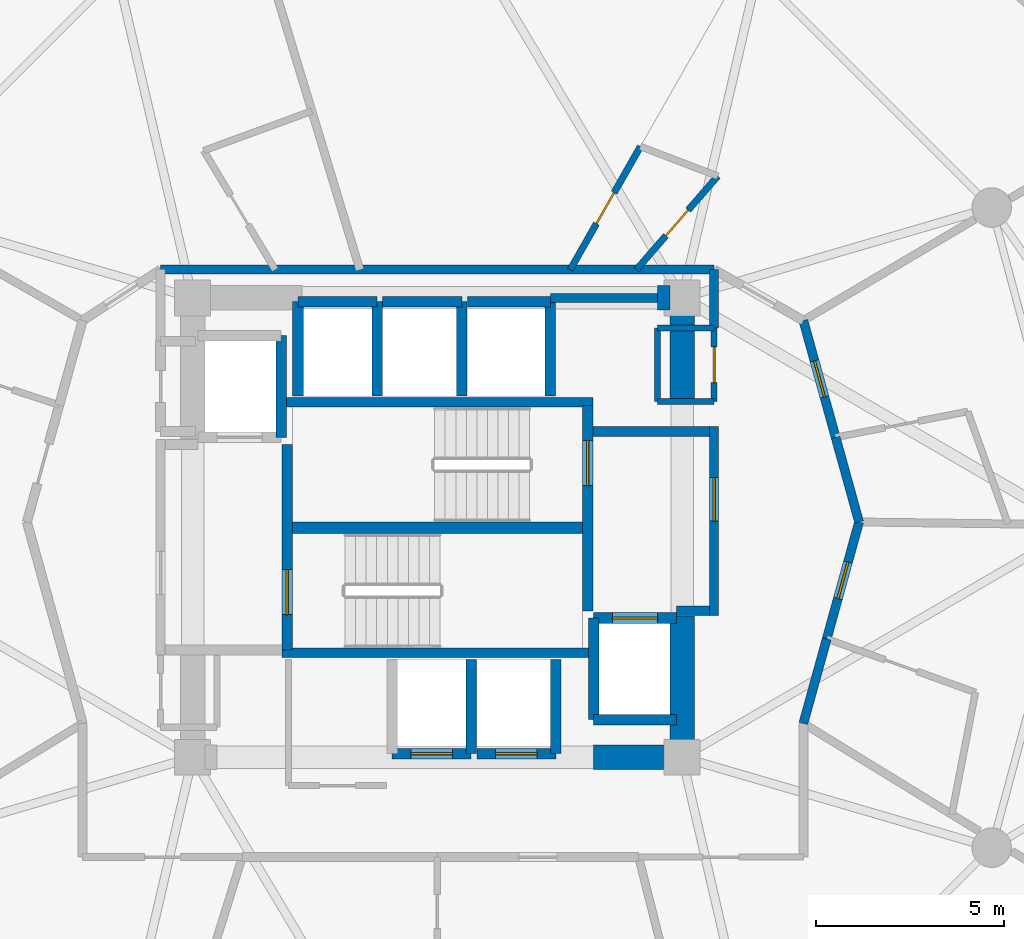
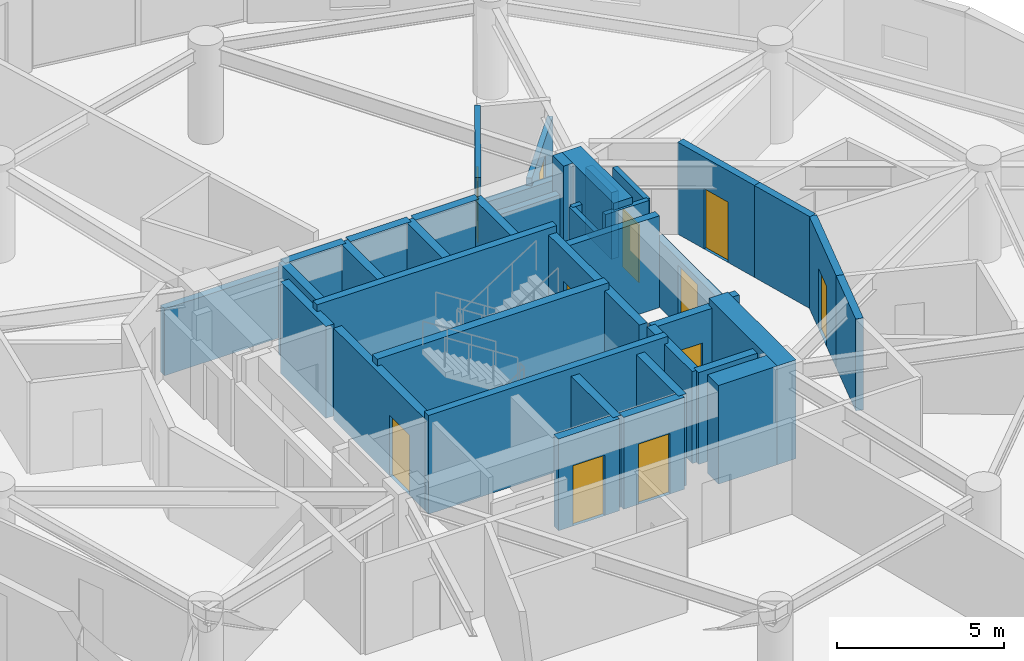
# One storey, part 16 of 20: 40 walls, 11 doors, 11 openings.
"""IFC4 building model written with IfcOpenShell, lengths in metres."""

import ifcopenshell
import ifcopenshell.guid

model = None  # the IFC model being written
_history = None  # IfcOwnerHistory: only IFC2X3 demands one
_inside = {}  # id of a spatial element -> (the spatial element, [elements in it])
_under = {}  # id of a project, library or spatial element -> (it, [spatial elements below it])
_declared = {}  # id of a project -> (the project, [libraries it declares])
_typed = {}  # id of a type object -> (the type object, [elements of that type])
_made_of = {}  # id of a material, layer set ... -> (it, [elements and type objects made of it])


def new_model(schema):
    """Start an empty IFC model of exactly this schema.

    Asked for "IFC4X3", IfcOpenShell would pick the latest addendum, in which some entities
    have other attributes; the version numbers below select the first issue.
    IFC2X3 requires an IfcOwnerHistory on every rooted entity: one is made here for all.
    """
    global model, _history
    if schema == "IFC4X3":
        model = ifcopenshell.file(schema_version=(4, 3, 0, 0))
    else:
        model = ifcopenshell.file(schema=schema)
    _inside.clear()
    _under.clear()
    _declared.clear()
    _typed.clear()
    _made_of.clear()
    _history = None
    if model.schema == "IFC2X3":
        org = make("IfcOrganization", Name="unknown")
        user = make(
            "IfcPersonAndOrganization",
            ThePerson=make("IfcPerson", FamilyName="unknown"),
            TheOrganization=org,
        )
        app = make(
            "IfcApplication",
            ApplicationDeveloper=org,
            Version="unknown",
            ApplicationFullName="unknown",
            ApplicationIdentifier="unknown",
        )
        _history = make(
            "IfcOwnerHistory",
            OwningUser=user,
            OwningApplication=app,
            ChangeAction="ADDED",
            CreationDate=0,
        )
    return model


def make(cls, **values):
    """One entity of the class cls with the attributes given. An attribute that is None is left unset."""
    return model.create_entity(
        cls, **{name: value for name, value in values.items() if value is not None}
    )


def rooted(cls, **values):
    """An entity with a GlobalId (a new one), such as an element, a storey or a relation."""
    return make(cls, GlobalId=ifcopenshell.guid.new(), OwnerHistory=_history, **values)


def si_unit(unit_type, name, prefix=None):
    """IfcSIUnit, for example si_unit("LENGTHUNIT", "METRE", prefix="MILLI")."""
    return make("IfcSIUnit", UnitType=unit_type, Prefix=prefix, Name=name)


def assignment(units):
    """IfcUnitAssignment: the units of a project."""
    return None if units is None else make("IfcUnitAssignment", Units=units)


def point(xyz):
    """IfcCartesianPoint."""
    return None if xyz is None else make("IfcCartesianPoint", Coordinates=xyz)


def direction(xyz):
    """IfcDirection."""
    return None if xyz is None else make("IfcDirection", DirectionRatios=xyz)


def frame(location, z_axis=None, x_axis=None):
    """IfcAxis2Placement3D, a coordinate frame: its origin and axes. An axis left out is left unset."""
    return make(
        "IfcAxis2Placement3D",
        Location=point(location),
        Axis=direction(z_axis),
        RefDirection=direction(x_axis),
    )


def frame_2d(location, x_axis=None):
    """IfcAxis2Placement2D, a coordinate frame in the plane: its origin and x axis."""
    return make(
        "IfcAxis2Placement2D", Location=point(location), RefDirection=direction(x_axis)
    )


def origin():
    """The frame at (0, 0, 0) with its axes left unset."""
    return frame((0.0, 0.0, 0.0))


def place(relative_to, where):
    """IfcLocalPlacement: puts the frame where relative to a parent placement (None: the world)."""
    return make(
        "IfcLocalPlacement", PlacementRelTo=relative_to, RelativePlacement=where
    )


def context(
    kind, dimensions, precision=None, world=None, true_north=None, identifier=None
):
    """IfcGeometricRepresentationContext, for example the 3D "Model" context."""
    return make(
        "IfcGeometricRepresentationContext",
        ContextIdentifier=identifier,
        ContextType=kind,
        CoordinateSpaceDimension=dimensions,
        Precision=precision,
        WorldCoordinateSystem=world,
        TrueNorth=true_north,
    )


def subcontext(parent, identifier, kind, view, scale=None):
    """IfcGeometricRepresentationSubContext, for example "Body" below "Model"."""
    return make(
        "IfcGeometricRepresentationSubContext",
        ContextIdentifier=identifier,
        ContextType=kind,
        ParentContext=parent,
        TargetScale=scale,
        TargetView=view,
    )


def project(units=None, contexts=None):
    """IfcProject with its units and contexts."""
    return rooted(
        "IfcProject",
        Name="project",
        RepresentationContexts=contexts,
        UnitsInContext=assignment(units),
    )


def spatial(cls, under=None, at=None, **own):
    """A site, building, storey or space (cls), placed at a placement, below another one or the project."""
    s = rooted(cls, ObjectPlacement=at, **own)
    if under is not None:
        _under.setdefault(under.id(), (under, []))[1].append(s)
    return s


def profile(cls, at=None, kind="AREA", **sizes):
    """A parametric profile (cls). Its sizes go by their IFC names, for example OverallWidth=200.0."""
    return make(cls, ProfileType=kind, Position=at, **sizes)


def rectangle(**sizes):
    """IfcRectangleProfileDef."""
    return profile("IfcRectangleProfileDef", **sizes)


def extrude(swept, where, along, depth):
    """IfcExtrudedAreaSolid: the profile swept, set in the frame where, extruded along a direction by depth."""
    return make(
        "IfcExtrudedAreaSolid",
        SweptArea=swept,
        Position=where,
        ExtrudedDirection=direction(along),
        Depth=depth,
    )


def shape(context_of_items, identifier, shape_type, items):
    """IfcShapeRepresentation: the items that make up one representation, for example the "Body"."""
    return make(
        "IfcShapeRepresentation",
        ContextOfItems=context_of_items,
        RepresentationIdentifier=identifier,
        RepresentationType=shape_type,
        Items=items,
    )


def material(Name=None, Category=None):
    """IfcMaterial."""
    return make("IfcMaterial", Name=Name, Category=Category)


def layer(
    of_material, thickness, ventilated=None, Name=None, Category=None, Priority=None
):
    """IfcMaterialLayer: one layer of a wall or slab, of a material (None: an air gap)."""
    return make(
        "IfcMaterialLayer",
        Material=of_material,
        LayerThickness=thickness,
        IsVentilated=ventilated,
        Name=Name,
        Category=Category,
        Priority=Priority,
    )


def layer_set(layers, Name=None):
    """IfcMaterialLayerSet."""
    return make("IfcMaterialLayerSet", MaterialLayers=layers, LayerSetName=Name)


def made_of(thing, what):
    """Note that an element or type object is made of a material, layer set ...; save() writes the relation."""
    if what is not None:
        _made_of.setdefault(what.id(), (what, []))[1].append(thing)
    return thing


def type_object(cls, material=None, **own):
    """A type object (cls), such as IfcWallType, which elements share."""
    return made_of(rooted(cls, **own), material)


def element(
    cls,
    number,
    at=None,
    inside=None,
    cuts=None,
    type_object=None,
    material=None,
    context=None,
    identifier="Body",
    shape_type=None,
    held_by="IfcProductDefinitionShape",
    body=None,
    shapes=None,
    **own,
):
    """One element of the class cls, such as IfcWall. Its Tag is "e" and its number.

    at: its placement. inside: the storey or other place that contains it. cuts: it is an
    opening in that element (IfcRelVoidsElement). A single representation is given by context,
    identifier, shape_type and body (its items); several are given by shapes. held_by: the class
    of the entity that holds the representations. save() writes the other relations.
    """
    e = rooted(cls, Tag="e%d" % number, ObjectPlacement=at, **own)
    if body is not None:
        shapes = [shape(context, identifier, shape_type, body)]
    if shapes is not None:
        e.Representation = make(held_by, Representations=shapes)
    if inside is not None:
        _inside.setdefault(inside.id(), (inside, []))[1].append(e)
    if cuts is not None:
        rooted(
            "IfcRelVoidsElement", RelatingBuildingElement=cuts, RelatedOpeningElement=e
        )
    if type_object is not None:
        _typed.setdefault(type_object.id(), (type_object, []))[1].append(e)
    return made_of(e, material)


def fill(opening, filler):
    """IfcRelFillsElement: the door or window that sits in an opening."""
    return rooted(
        "IfcRelFillsElement",
        RelatingOpeningElement=opening,
        RelatedBuildingElement=filler,
    )


def aggregate(whole, parts):
    """IfcRelAggregates: a whole, such as a stair, and the parts it consists of."""
    return rooted("IfcRelAggregates", RelatingObject=whole, RelatedObjects=parts)


def save(model, path):
    """Write the relations noted so far, then the file.

    IfcRelAggregates (storeys below a building ...), IfcRelContainedInSpatialStructure (elements
    in a storey), IfcRelDefinesByType, IfcRelAssociatesMaterial and IfcRelDeclares: one each for
    every whole, place, type object, material and project.
    """
    for whole, parts in _under.values():
        aggregate(whole, parts)
    for where, things in _inside.values():
        rooted(
            "IfcRelContainedInSpatialStructure",
            RelatedElements=things,
            RelatingStructure=where,
        )
    for kind, things in _typed.values():
        rooted("IfcRelDefinesByType", RelatedObjects=things, RelatingType=kind)
    for what, things in _made_of.values():
        rooted("IfcRelAssociatesMaterial", RelatedObjects=things, RelatingMaterial=what)
    for by, libraries in _declared.values():
        rooted("IfcRelDeclares", RelatingContext=by, RelatedDefinitions=libraries)
    model.write(path)


model = new_model("IFC4")

# Units and contexts
model_context = context("Model", 3, precision=1e-05, world=origin(), true_north=direction((0.0, 1.0)))
body_context = subcontext(model_context, "Body", "Model", "MODEL_VIEW")
ifc_project = project(units=[si_unit("LENGTHUNIT", "METRE"), si_unit("AREAUNIT", "SQUARE_METRE"), si_unit("VOLUMEUNIT", "CUBIC_METRE"), si_unit("PLANEANGLEUNIT", "RADIAN"), si_unit("MASSUNIT", "GRAM", prefix="KILO")], contexts=[model_context])

# Site, building, storey
site_placement = place(None, origin())
site = spatial("IfcSite", under=ifc_project, at=site_placement, CompositionType="ELEMENT")
building_placement = place(site_placement, origin())
building = spatial("IfcBuilding", under=site, at=building_placement, Name="Solvirekh Grand Hotel", CompositionType="ELEMENT")
storey_placement = place(building_placement, frame((0.0, 0.0, 156.60009765625)))
storey = spatial("IfcBuildingStorey", under=building, at=storey_placement, Name="L40", CompositionType="ELEMENT", Elevation=156.60009765625)

# Walls
ifc_material_1 = material(Name="Concrete C50/60", Category="concrete")
ifc_layer_1 = layer(ifc_material_1, 0.35009765625)
ifc_layer_set_1 = layer_set([ifc_layer_1], Name="Concrete C50/60")
wall_type_1 = type_object("IfcWallType", Name="CoreDivWall_RC350", PredefinedType="SOLIDWALL", material=ifc_layer_set_1)
for number, where, z_axis, x_axis, name in (
    (1, (-4.1298828125, -3.324951171875, 0.0), (0.0, 0.0, 1.0), (1.0, 0.0, 0.0), "L40 core stair box wall ST-S"),
    (2, (-4.1298828125, 3.324951171875, 0.0), (0.0, 0.0, 1.0), (1.0, 0.0, 0.0), "L40 core stair box wall ST-N"),
):
    element("IfcWall", number, at=place(storey_placement, frame(where, z_axis=z_axis, x_axis=x_axis)), inside=storey, type_object=wall_type_1, Name=name, PredefinedType="SOLIDWALL", context=body_context, shape_type="SweptSolid", body=[
        extrude(rectangle(XDim=8.259765625, YDim=0.25, at=frame_2d((4.1298828125, 0.0))), origin(), (0.0, 0.0, 1.0), 3.599853515625),
    ])

# Wall, opening, door
ifc_material_2 = material(Name="Concrete C40/50", Category="concrete")
ifc_layer_2 = layer(ifc_material_2, 0.280029296875)
ifc_layer_set_2 = layer_set([ifc_layer_2], Name="Concrete C40/50")
wall_type_2 = type_object("IfcWallType", Name="CoreShaftWall_RC280", PredefinedType="SOLIDWALL", material=ifc_layer_set_2)
wall_1_placement = place(storey_placement, frame((-1.199951171875, -6.0, 0.0), z_axis=(0.0, 0.0, 1.0), x_axis=(1.0, 0.0, 0.0)))
wall_1 = element("IfcWall", 3, at=wall_1_placement, inside=storey, type_object=wall_type_2, Name="L40 MP-1 hoistway S wall", PredefinedType="SOLIDWALL", context=body_context, shape_type="SweptSolid", body=[
    extrude(rectangle(XDim=2.099853515625, YDim=0.280029296875, at=frame_2d((1.0498046875, 0.0))), origin(), (0.0, 0.0, 1.0), 3.349853515625),
])
opening_1_placement = place(wall_1_placement, frame((0.5, 0.0, 0.0)))
opening_1 = element("IfcOpeningElement", 4, at=opening_1_placement, cuts=wall_1, Name="Opening LD01", PredefinedType="OPENING", context=body_context, shape_type="SweptSolid", body=[
    extrude(rectangle(XDim=1.10009765625, YDim=2.199951171875, at=frame_2d((0.550048828125, 1.10009765625))), frame((0.0, 0.14990234375, 0.0), z_axis=(0.0, -1.0, 0.0), x_axis=(1.0, 0.0, 0.0)), (0.0, 0.0, 1.0), 0.300048828125),
])
ifc_material_3 = material(Name="Fire-Rated Steel Door Assembly", Category="steel")
door_type_1 = type_object("IfcDoorType", Name="Door_LiftLanding_1100X2200", OperationType="SLIDING_TO_LEFT", PredefinedType="DOOR", material=ifc_material_3)
door_1_placement = place(opening_1_placement, origin())
door_1 = element("IfcDoor", 5, at=door_1_placement, inside=storey, type_object=door_type_1, Name="L40 MP-1 sliding lift landing door", OperationType="SLIDING_TO_LEFT", OverallHeight=2.199951171875, OverallWidth=1.10009765625, PredefinedType="DOOR", context=body_context, shape_type="SweptSolid", body=[
    extrude(rectangle(XDim=1.10009765625, YDim=2.199951171875, at=frame_2d((0.550048828125, 1.10009765625))), frame((0.0, 0.02490234375, 0.0), z_axis=(0.0, -1.0, 0.0), x_axis=(1.0, 0.0, 0.0)), (0.0, 0.0, 1.0), 0.050048828125),
])
fill(opening_1, door_1)

# Wall
wall_2_placement = place(storey_placement, frame((0.89990234375, -6.0, 0.0), z_axis=(0.0, 0.0, 1.0), x_axis=(0.0, 1.0, 0.0)))
element("IfcWall", 6, at=wall_2_placement, inside=storey, type_object=wall_type_2, Name="L40 MP-1 hoistway E wall", PredefinedType="SOLIDWALL", context=body_context, shape_type="SweptSolid", body=[
    extrude(rectangle(XDim=2.5, YDim=0.280029296875, at=frame_2d((1.25, 0.0))), origin(), (0.0, 0.0, 1.0), 3.349853515625),
])

# Wall, opening, door
wall_3_placement = place(storey_placement, frame((1.050048828125, -6.0, 0.0), z_axis=(0.0, 0.0, 1.0), x_axis=(1.0, 0.0, 0.0)))
wall_3 = element("IfcWall", 7, at=wall_3_placement, inside=storey, type_object=wall_type_2, Name="L40 MP-2 hoistway S wall", PredefinedType="SOLIDWALL", context=body_context, shape_type="SweptSolid", body=[
    extrude(rectangle(XDim=2.099853515625, YDim=0.280029296875, at=frame_2d((1.0498046875, 0.0))), origin(), (0.0, 0.0, 1.0), 3.349853515625),
])
opening_2_placement = place(wall_3_placement, frame((0.5, 0.0, 0.0)))
opening_2 = element("IfcOpeningElement", 8, at=opening_2_placement, cuts=wall_3, Name="Opening LD01", PredefinedType="OPENING", context=body_context, shape_type="SweptSolid", body=[
    extrude(rectangle(XDim=1.10009765625, YDim=2.199951171875, at=frame_2d((0.550048828125, 1.10009765625))), frame((0.0, 0.14990234375, 0.0), z_axis=(0.0, -1.0, 0.0), x_axis=(1.0, 0.0, 0.0)), (0.0, 0.0, 1.0), 0.300048828125),
])
door_2_placement = place(opening_2_placement, origin())
door_2 = element("IfcDoor", 9, at=door_2_placement, inside=storey, type_object=door_type_1, Name="L40 MP-2 sliding lift landing door", OperationType="SLIDING_TO_LEFT", OverallHeight=2.199951171875, OverallWidth=1.10009765625, PredefinedType="DOOR", context=body_context, shape_type="SweptSolid", body=[
    extrude(rectangle(XDim=1.10009765625, YDim=2.199951171875, at=frame_2d((0.550048828125, 1.10009765625))), frame((0.0, 0.02490234375, 0.0), z_axis=(0.0, -1.0, 0.0), x_axis=(1.0, 0.0, 0.0)), (0.0, 0.0, 1.0), 0.050048828125),
])
fill(opening_2, door_2)

# Walls
wall_4_placement = place(storey_placement, frame((3.14990234375, -6.0, 0.0), z_axis=(0.0, 0.0, 1.0), x_axis=(0.0, 1.0, 0.0)))
element("IfcWall", 10, at=wall_4_placement, inside=storey, type_object=wall_type_2, Name="L40 MP-2 hoistway E wall", PredefinedType="SOLIDWALL", context=body_context, shape_type="SweptSolid", body=[
    extrude(rectangle(XDim=2.5, YDim=0.280029296875, at=frame_2d((1.25, 0.0))), origin(), (0.0, 0.0, 1.0), 3.349853515625),
])
wall_5_placement = place(storey_placement, frame((-1.60009765625, 6.0, 0.0), z_axis=(0.0, 0.0, 1.0), x_axis=(-1.0, 0.0, 0.0)))
element("IfcWall", 11, at=wall_5_placement, inside=storey, type_object=wall_type_2, Name="L40 HP-1 hoistway N wall", PredefinedType="SOLIDWALL", context=body_context, shape_type="SweptSolid", body=[
    extrude(rectangle(XDim=2.099853515625, YDim=0.280029296875, at=frame_2d((1.0498046875, 0.0))), origin(), (0.0, 0.0, 1.0), 3.349853515625),
])
for number, where, z_axis, x_axis, name in (
    (12, (-3.699951171875, 6.0, 0.0), (0.0, 0.0, 1.0), (0.0, -1.0, 0.0), "L40 HP-1 hoistway W wall"),
    (13, (-1.60009765625, 3.5, 0.0), (0.0, 0.0, 1.0), (0.0, 1.0, 0.0), "L40 HP-1 hoistway E wall"),
):
    element("IfcWall", number, at=place(storey_placement, frame(where, z_axis=z_axis, x_axis=x_axis)), inside=storey, type_object=wall_type_2, Name=name, PredefinedType="SOLIDWALL", context=body_context, shape_type="SweptSolid", body=[
        extrude(rectangle(XDim=2.5, YDim=0.280029296875, at=frame_2d((1.25, 0.0))), origin(), (0.0, 0.0, 1.0), 3.349853515625),
    ])
wall_6_placement = place(storey_placement, frame((0.64990234375, 6.0, 0.0), z_axis=(0.0, 0.0, 1.0), x_axis=(-1.0, 0.0, 0.0)))
element("IfcWall", 14, at=wall_6_placement, inside=storey, type_object=wall_type_2, Name="L40 HP-2 hoistway N wall", PredefinedType="SOLIDWALL", context=body_context, shape_type="SweptSolid", body=[
    extrude(rectangle(XDim=2.099853515625, YDim=0.280029296875, at=frame_2d((1.0498046875, 0.0))), origin(), (0.0, 0.0, 1.0), 3.349853515625),
])
wall_7_placement = place(storey_placement, frame((0.64990234375, 3.5, 0.0), z_axis=(0.0, 0.0, 1.0), x_axis=(0.0, 1.0, 0.0)))
element("IfcWall", 15, at=wall_7_placement, inside=storey, type_object=wall_type_2, Name="L40 HP-2 hoistway E wall", PredefinedType="SOLIDWALL", context=body_context, shape_type="SweptSolid", body=[
    extrude(rectangle(XDim=2.5, YDim=0.280029296875, at=frame_2d((1.25, 0.0))), origin(), (0.0, 0.0, 1.0), 3.349853515625),
])
wall_8_placement = place(storey_placement, frame((3.0, 6.0, 0.0), z_axis=(0.0, 0.0, 1.0), x_axis=(-1.0, 0.0, 0.0)))
element("IfcWall", 16, at=wall_8_placement, inside=storey, type_object=wall_type_2, Name="L40 EX-1 hoistway N wall", PredefinedType="SOLIDWALL", context=body_context, shape_type="SweptSolid", body=[
    extrude(rectangle(XDim=2.199951171875, YDim=0.280029296875, at=frame_2d((1.10009765625, 0.0))), origin(), (0.0, 0.0, 1.0), 3.349853515625),
])
wall_9_placement = place(storey_placement, frame((3.0, 3.5, 0.0), z_axis=(0.0, 0.0, 1.0), x_axis=(0.0, 1.0, 0.0)))
element("IfcWall", 17, at=wall_9_placement, inside=storey, type_object=wall_type_2, Name="L40 EX-1 hoistway E wall", PredefinedType="SOLIDWALL", context=body_context, shape_type="SweptSolid", body=[
    extrude(rectangle(XDim=2.5, YDim=0.280029296875, at=frame_2d((1.25, 0.0))), origin(), (0.0, 0.0, 1.0), 3.349853515625),
])
wall_10_placement = place(storey_placement, frame((-4.14990234375, 2.39990234375, 0.0), z_axis=(0.0, 0.0, 1.0), x_axis=(0.0, 1.0, 0.0)))
element("IfcWall", 18, at=wall_10_placement, inside=storey, type_object=wall_type_2, Name="L40 FL-1 hoistway E wall", PredefinedType="SOLIDWALL", context=body_context, shape_type="SweptSolid", body=[
    extrude(rectangle(XDim=2.7001953125, YDim=0.280029296875, at=frame_2d((1.35009765625, 0.0))), origin(), (0.0, 0.0, 1.0), 3.349853515625),
])
wall_11_placement = place(storey_placement, frame((4.14990234375, -5.10009765625, 0.0), z_axis=(0.0, 0.0, 1.0), x_axis=(1.0, 0.0, 0.0)))
element("IfcWall", 19, at=wall_11_placement, inside=storey, type_object=wall_type_2, Name="L40 FL-2 hoistway S wall", PredefinedType="SOLIDWALL", context=body_context, shape_type="SweptSolid", body=[
    extrude(rectangle(XDim=2.2001953125, YDim=0.280029296875, at=frame_2d((1.10009765625, 0.0))), origin(), (0.0, 0.0, 1.0), 3.349853515625),
])

# Wall, opening, door
wall_12_placement = place(storey_placement, frame((6.35009765625, -2.39990234375, 0.0), z_axis=(0.0, 0.0, 1.0), x_axis=(-1.0, 0.0, 0.0)))
wall_12 = element("IfcWall", 20, at=wall_12_placement, inside=storey, type_object=wall_type_2, Name="L40 FL-2 hoistway N wall", PredefinedType="SOLIDWALL", context=body_context, shape_type="SweptSolid", body=[
    extrude(rectangle(XDim=2.2001953125, YDim=0.280029296875, at=frame_2d((1.10009765625, 0.0))), origin(), (0.0, 0.0, 1.0), 3.349853515625),
])
opening_3_placement = place(wall_12_placement, frame((0.5, 0.0, 0.0)))
opening_3 = element("IfcOpeningElement", 21, at=opening_3_placement, cuts=wall_12, Name="Opening LD02", PredefinedType="OPENING", context=body_context, shape_type="SweptSolid", body=[
    extrude(rectangle(XDim=1.199951171875, YDim=2.199951171875, at=frame_2d((0.60009765625, 1.10009765625))), frame((0.0, 0.14990234375, 0.0), z_axis=(0.0, -1.0, 0.0), x_axis=(1.0, 0.0, 0.0)), (0.0, 0.0, 1.0), 0.300048828125),
])
door_type_2 = type_object("IfcDoorType", Name="Door_LiftFF_1200X2200", OperationType="SLIDING_TO_LEFT", PredefinedType="DOOR", material=ifc_material_3)
door_3_placement = place(opening_3_placement, origin())
door_3 = element("IfcDoor", 22, at=door_3_placement, inside=storey, type_object=door_type_2, Name="L40 FL-2 sliding lift landing door", OperationType="SLIDING_TO_LEFT", OverallHeight=2.199951171875, OverallWidth=1.199951171875, PredefinedType="DOOR", context=body_context, shape_type="SweptSolid", body=[
    extrude(rectangle(XDim=1.199951171875, YDim=2.199951171875, at=frame_2d((0.60009765625, 1.10009765625))), frame((0.0, 0.02490234375, 0.0), z_axis=(0.0, -1.0, 0.0), x_axis=(1.0, 0.0, 0.0)), (0.0, 0.0, 1.0), 0.050048828125),
])
fill(opening_3, door_3)

# Wall
wall_13_placement = place(storey_placement, frame((4.14990234375, -2.39990234375, 0.0), z_axis=(0.0, 0.0, 1.0), x_axis=(0.0, -1.0, 0.0)))
element("IfcWall", 23, at=wall_13_placement, inside=storey, type_object=wall_type_2, Name="L40 FL-2 hoistway W wall", PredefinedType="SOLIDWALL", context=body_context, shape_type="SweptSolid", body=[
    extrude(rectangle(XDim=2.7001953125, YDim=0.280029296875, at=frame_2d((1.35009765625, 0.0))), origin(), (0.0, 0.0, 1.0), 3.349853515625),
])

# Wall, opening, door
wall_14_placement = place(storey_placement, frame((-3.989990234375, -3.25, 0.0), z_axis=(0.0, 0.0, 1.0), x_axis=(0.0, 1.0, 0.0)))
wall_14 = element("IfcWall", 24, at=wall_14_placement, inside=storey, type_object=wall_type_2, Name="L40 west stair landing enclosure wall", PredefinedType="SOLIDWALL", context=body_context, shape_type="SweptSolid", body=[
    extrude(rectangle(XDim=5.4599609375, YDim=0.280029296875, at=frame_2d((2.72998046875, 0.0))), origin(), (0.0, 0.0, 1.0), 3.349853515625),
])
opening_4_placement = place(wall_14_placement, frame((0.93701171875, 0.0, 0.0)))
opening_4 = element("IfcOpeningElement", 25, at=opening_4_placement, cuts=wall_14, Name="Opening D05", PredefinedType="OPENING", context=body_context, shape_type="SweptSolid", body=[
    extrude(rectangle(XDim=1.199951171875, YDim=2.199951171875, at=frame_2d((0.60009765625, 1.10009765625))), frame((0.0, 0.14990234375, 0.0), z_axis=(0.0, -1.0, 0.0), x_axis=(1.0, 0.0, 0.0)), (0.0, 0.0, 1.0), 0.300048828125),
])
door_type_3 = type_object("IfcDoorType", Name="Door_StairCore_1200X2200", OperationType="NOTDEFINED", PredefinedType="DOOR", material=ifc_material_3)
door_4_placement = place(opening_4_placement, origin())
door_4 = element("IfcDoor", 26, at=door_4_placement, inside=storey, type_object=door_type_3, Name="L40 exit stair ST-1 fire door", OperationType="SINGLE_SWING_RIGHT", OverallHeight=2.199951171875, OverallWidth=1.199951171875, PredefinedType="DOOR", context=body_context, shape_type="SweptSolid", body=[
    extrude(rectangle(XDim=1.199951171875, YDim=2.199951171875, at=frame_2d((0.60009765625, 1.10009765625))), frame((0.0, 0.02490234375, 0.0), z_axis=(0.0, -1.0, 0.0), x_axis=(1.0, 0.0, 0.0)), (0.0, 0.0, 1.0), 0.050048828125),
])
fill(opening_4, door_4)

wall_15_placement = place(storey_placement, frame((3.989990234375, -2.2099609375, 0.0), z_axis=(0.0, 0.0, 1.0), x_axis=(0.0, 1.0, 0.0)))
wall_15 = element("IfcWall", 27, at=wall_15_placement, inside=storey, type_object=wall_type_2, Name="L40 east stair landing enclosure wall", PredefinedType="SOLIDWALL", context=body_context, shape_type="SweptSolid", body=[
    extrude(rectangle(XDim=5.4599609375, YDim=0.280029296875, at=frame_2d((2.72998046875, 0.0))), origin(), (0.0, 0.0, 1.0), 3.349853515625),
])
opening_5_placement = place(wall_15_placement, frame((3.322998046875, 0.0, 0.0)))
opening_5 = element("IfcOpeningElement", 28, at=opening_5_placement, cuts=wall_15, Name="Opening D05", PredefinedType="OPENING", context=body_context, shape_type="SweptSolid", body=[
    extrude(rectangle(XDim=1.199951171875, YDim=2.199951171875, at=frame_2d((0.60009765625, 1.10009765625))), frame((0.0, 0.14990234375, 0.0), z_axis=(0.0, -1.0, 0.0), x_axis=(1.0, 0.0, 0.0)), (0.0, 0.0, 1.0), 0.300048828125),
])
door_5_placement = place(opening_5_placement, origin())
door_5 = element("IfcDoor", 29, at=door_5_placement, inside=storey, type_object=door_type_3, Name="L40 exit stair ST-2 fire door", OperationType="SINGLE_SWING_LEFT", OverallHeight=2.199951171875, OverallWidth=1.199951171875, PredefinedType="DOOR", context=body_context, shape_type="SweptSolid", body=[
    extrude(rectangle(XDim=1.199951171875, YDim=2.199951171875, at=frame_2d((0.60009765625, 1.10009765625))), frame((0.0, 0.02490234375, 0.0), z_axis=(0.0, -1.0, 0.0), x_axis=(1.0, 0.0, 0.0)), (0.0, 0.0, 1.0), 0.050048828125),
])
fill(opening_5, door_5)

# Walls
ifc_layer_3 = layer(ifc_material_1, 0.64990234375)
ifc_layer_set_3 = layer_set([ifc_layer_3], Name="Concrete C50/60")
wall_type_3 = type_object("IfcWallType", Name="CoreWall_RC650", PredefinedType="SHEAR", material=ifc_layer_set_3)
wall_16_placement = place(storey_placement, frame((-3.989990234375, 0.0, 0.0), z_axis=(0.0, 0.0, 1.0), x_axis=(1.0, 0.0, 0.0)))
element("IfcWall", 30, at=wall_16_placement, inside=storey, type_object=wall_type_3, Name="L40 central stair-spine shear wall", PredefinedType="SHEAR", context=body_context, shape_type="SweptSolid", body=[
    extrude(rectangle(XDim=7.97998046875, YDim=0.300048828125, at=frame_2d((3.989990234375, 0.0))), origin(), (0.0, 0.0, 1.0), 3.599853515625),
])
wall_17_placement = place(storey_placement, frame((4.14990234375, -6.10009765625, 0.0), z_axis=(0.0, 0.0, 1.0), x_axis=(1.0, 0.0, 0.0)))
element("IfcWall", 31, at=wall_17_placement, inside=storey, type_object=wall_type_3, Name="L40 core corner shear wall SE-S", PredefinedType="SHEAR", context=body_context, shape_type="SweptSolid", body=[
    extrude(rectangle(XDim=2.025146484375, YDim=0.64990234375, at=frame_2d((1.0126953125, 0.0))), origin(), (0.0, 0.0, 1.0), 3.599853515625),
])
wall_18_placement = place(storey_placement, frame((5.85009765625, 6.10009765625, 0.0), z_axis=(0.0, 0.0, 1.0), x_axis=(1.0, 0.0, 0.0)))
element("IfcWall", 32, at=wall_18_placement, inside=storey, type_object=wall_type_3, Name="L40 core corner shear wall NE-N", PredefinedType="SHEAR", context=body_context, shape_type="SweptSolid", body=[
    extrude(rectangle(XDim=0.324951171875, YDim=0.64990234375, at=frame_2d((0.16259765625, 0.0))), origin(), (0.0, 0.0, 1.0), 3.599853515625),
])
wall_19_placement = place(storey_placement, frame((6.5, -6.425048828125, 0.0), z_axis=(0.0, 0.0, 1.0), x_axis=(0.0, 1.0, 0.0)))
element("IfcWall", 33, at=wall_19_placement, inside=storey, type_object=wall_type_3, Name="L40 core corner shear wall ES-E", PredefinedType="SHEAR", context=body_context, shape_type="SweptSolid", body=[
    extrude(rectangle(XDim=4.074951171875, YDim=0.64990234375, at=frame_2d((2.03759765625, 0.0))), origin(), (0.0, 0.0, 1.0), 3.599853515625),
])
wall_20_placement = place(storey_placement, frame((6.5, 3.35009765625, 0.0), z_axis=(0.0, 0.0, 1.0), x_axis=(0.0, 1.0, 0.0)))
element("IfcWall", 34, at=wall_20_placement, inside=storey, type_object=wall_type_3, Name="L40 core corner shear wall EN-E", PredefinedType="SHEAR", context=body_context, shape_type="SweptSolid", body=[
    extrude(rectangle(XDim=3.074951171875, YDim=0.64990234375, at=frame_2d((1.53759765625, 0.0))), origin(), (0.0, 0.0, 1.0), 3.599853515625),
])
ifc_material_4 = material(Name="Acoustic Gypsum Partition Assembly")
ifc_layer_4 = layer(ifc_material_4, 0.1650390625)
ifc_layer_set_4 = layer_set([ifc_layer_4], Name="Acoustic Gypsum Partition Assembly")
wall_type_4 = type_object("IfcWallType", Name="Part_BOH_165", PredefinedType="PARTITIONING", material=ifc_layer_set_4)
wall_21_placement = place(storey_placement, frame((5.85009765625, 3.35009765625, 0.0), z_axis=(0.0, 0.0, 1.0), x_axis=(1.0, 0.0, 0.0)))
element("IfcWall", 35, at=wall_21_placement, inside=storey, type_object=wall_type_4, Name="L40 L40 Core Housekeeping Room wall 1", PredefinedType="PARTITIONING", context=body_context, shape_type="SweptSolid", body=[
    extrude(rectangle(XDim=1.5, YDim=0.1650390625, at=frame_2d((0.75, 0.0))), origin(), (0.0, 0.0, 1.0), 3.349853515625),
])

# Wall, opening, door
wall_22_placement = place(storey_placement, frame((7.35009765625, 3.35009765625, 0.0), z_axis=(0.0, 0.0, 1.0), x_axis=(0.0, 1.0, 0.0)))
wall_22 = element("IfcWall", 36, at=wall_22_placement, inside=storey, type_object=wall_type_4, Name="L40 L40 Core Housekeeping Room wall 2", PredefinedType="PARTITIONING", context=body_context, shape_type="SweptSolid", body=[
    extrude(rectangle(XDim=1.949951171875, YDim=0.1650390625, at=frame_2d((0.97509765625, 0.0))), origin(), (0.0, 0.0, 1.0), 3.349853515625),
])
opening_6_placement = place(wall_22_placement, frame((0.5, 0.0, 0.0)))
opening_6 = element("IfcOpeningElement", 37, at=opening_6_placement, cuts=wall_22, Name="Opening D10", PredefinedType="OPENING", context=body_context, shape_type="SweptSolid", body=[
    extrude(rectangle(XDim=0.949951171875, YDim=2.10009765625, at=frame_2d((0.47509765625, 1.050048828125))), frame((0.0, 0.092529296875, 0.0), z_axis=(0.0, -1.0, 0.0), x_axis=(1.0, 0.0, 0.0)), (0.0, 0.0, 1.0), 0.18505859375),
])
ifc_material_5 = material(Name="Anodized Bronze Aluminium 6063-T6", Category="aluminium")
door_type_4 = type_object("IfcDoorType", Name="Door_RoomInt_950X2100", OperationType="NOTDEFINED", PredefinedType="DOOR", material=ifc_material_5)
door_6_placement = place(opening_6_placement, origin())
door_6 = element("IfcDoor", 38, at=door_6_placement, inside=storey, type_object=door_type_4, Name="L40 L40 Core Housekeeping Room door", OperationType="SINGLE_SWING_RIGHT", OverallHeight=2.10009765625, OverallWidth=0.949951171875, PredefinedType="DOOR", context=body_context, shape_type="SweptSolid", body=[
    extrude(rectangle(XDim=0.949951171875, YDim=2.10009765625, at=frame_2d((0.47509765625, 1.050048828125))), frame((0.0, 0.02490234375, 0.0), z_axis=(0.0, -1.0, 0.0), x_axis=(1.0, 0.0, 0.0)), (0.0, 0.0, 1.0), 0.050048828125),
])
fill(opening_6, door_6)

# Walls
wall_23_placement = place(storey_placement, frame((7.35009765625, 5.300048828125, 0.0), z_axis=(0.0, 0.0, 1.0), x_axis=(-1.0, 0.0, 0.0)))
element("IfcWall", 39, at=wall_23_placement, inside=storey, type_object=wall_type_4, Name="L40 L40 Core Housekeeping Room wall 3", PredefinedType="PARTITIONING", context=body_context, shape_type="SweptSolid", body=[
    extrude(rectangle(XDim=1.5, YDim=0.1650390625, at=frame_2d((0.75, 0.0))), origin(), (0.0, 0.0, 1.0), 2.434814453125),
])
wall_24_placement = place(storey_placement, frame((5.85009765625, 5.300048828125, 0.0), z_axis=(0.0, 0.0, 1.0), x_axis=(0.0, -1.0, 0.0)))
element("IfcWall", 40, at=wall_24_placement, inside=storey, type_object=wall_type_4, Name="L40 L40 Core Housekeeping Room wall 4", PredefinedType="PARTITIONING", context=body_context, shape_type="SweptSolid", body=[
    extrude(rectangle(XDim=1.949951171875, YDim=0.1650390625, at=frame_2d((0.97509765625, 0.0))), origin(), (0.0, 0.0, 1.0), 2.434814453125),
])

# Wall, opening, door
ifc_layer_5 = layer(ifc_material_4, 0.239990234375)
ifc_layer_set_5 = layer_set([ifc_layer_5], Name="Acoustic Gypsum Partition Assembly")
wall_type_5 = type_object("IfcWallType", Name="Part_Corridor_240", PredefinedType="PARTITIONING", material=ifc_layer_set_5)
wall_25_placement = place(storey_placement, frame((7.35009765625, -2.340087890625, 0.0), z_axis=(0.0, 0.0, 1.0), x_axis=(0.0, 1.0, 0.0)))
wall_25 = element("IfcWall", 41, at=wall_25_placement, inside=storey, type_object=wall_type_5, Name="L40 east firefighting lobby smoke screen wall", PredefinedType="PARTITIONING", context=body_context, shape_type="SweptSolid", body=[
    extrude(rectangle(XDim=5.02001953125, YDim=0.239990234375, at=frame_2d((2.510009765625, 0.0))), origin(), (0.0, 0.0, 1.0), 2.434814453125),
])
opening_7_placement = place(wall_25_placement, frame((2.514892578125, 0.0, 0.0)))
opening_7 = element("IfcOpeningElement", 42, at=opening_7_placement, cuts=wall_25, Name="Opening D06", PredefinedType="OPENING", context=body_context, shape_type="SweptSolid", body=[
    extrude(rectangle(XDim=1.14990234375, YDim=2.199951171875, at=frame_2d((0.574951171875, 1.10009765625))), frame((0.0, 0.1298828125, 0.0), z_axis=(0.0, -1.0, 0.0), x_axis=(1.0, 0.0, 0.0)), (0.0, 0.0, 1.0), 0.260009765625),
])
door_type_5 = type_object("IfcDoorType", Name="Door_FFLobby_1150X2200", OperationType="NOTDEFINED", PredefinedType="DOOR", material=ifc_material_3)
door_7_placement = place(opening_7_placement, origin())
door_7 = element("IfcDoor", 43, at=door_7_placement, inside=storey, type_object=door_type_5, Name="L40 east firefighting lobby smoke door", OperationType="SINGLE_SWING_LEFT", OverallHeight=2.199951171875, OverallWidth=1.14990234375, PredefinedType="DOOR", context=body_context, shape_type="SweptSolid", body=[
    extrude(rectangle(XDim=1.14990234375, YDim=2.199951171875, at=frame_2d((0.574951171875, 1.10009765625))), frame((0.0, 0.02490234375, 0.0), z_axis=(0.0, -1.0, 0.0), x_axis=(1.0, 0.0, 0.0)), (0.0, 0.0, 1.0), 0.050048828125),
])
fill(opening_7, door_7)

# Walls
wall_26_placement = place(storey_placement, frame((-7.35009765625, 6.85009765625, 0.0), z_axis=(0.0, 0.0, 1.0), x_axis=(1.0, 0.0, 0.0)))
element("IfcWall", 44, at=wall_26_placement, inside=storey, type_object=wall_type_5, Name="L40 north core backing partition", PredefinedType="PARTITIONING", context=body_context, shape_type="SweptSolid", body=[
    extrude(rectangle(XDim=14.7001953125, YDim=0.239990234375, at=frame_2d((7.35009765625, 0.0))), origin(), (0.0, 0.0, 1.0), 2.434814453125),
])
wall_27_placement = place(storey_placement, frame((7.35009765625, 5.300048828125, 0.0), z_axis=(0.0, 0.0, 1.0), x_axis=(0.0, 1.0, 0.0)))
element("IfcWall", 45, at=wall_27_placement, inside=storey, type_object=wall_type_5, Name="L40 NE core cheek closure wall", PredefinedType="PARTITIONING", context=body_context, shape_type="SweptSolid", body=[
    extrude(rectangle(XDim=1.550048828125, YDim=0.239990234375, at=frame_2d((0.77490234375, 0.0))), origin(), (0.0, 0.0, 1.0), 2.434814453125),
])
wall_28_placement = place(storey_placement, frame((3.0, 6.10009765625, 0.0), z_axis=(0.0, 0.0, 1.0), x_axis=(1.0, 0.0, 0.0)))
element("IfcWall", 46, at=wall_28_placement, inside=storey, type_object=wall_type_5, Name="L40 north core shaft infill wall", PredefinedType="PARTITIONING", context=body_context, shape_type="SweptSolid", body=[
    extrude(rectangle(XDim=2.85009765625, YDim=0.239990234375, at=frame_2d((1.425048828125, 0.0))), origin(), (0.0, 0.0, 1.0), 2.434814453125),
])
wall_29_placement = place(storey_placement, frame((9.719970703125, -5.199951171875, 0.0), z_axis=(0.0, 0.0, 1.0), x_axis=(0.266801280383, 0.963751563831, 0.0)))
element("IfcWall", 47, at=wall_29_placement, inside=storey, type_object=wall_type_5, Name="L40 En-suite Bathroom 4204 corridor backing wall", PredefinedType="PARTITIONING", context=body_context, shape_type="SweptSolid", body=[
    extrude(rectangle(XDim=2.33154296875, YDim=0.239990234375, at=frame_2d((1.165771484375, 0.0))), origin(), (0.0, 0.0, 1.0), 3.349853515625),
])

# Wall, opening, door
wall_30_placement = place(storey_placement, frame((10.342041015625, -2.952880859375, 0.0), z_axis=(0.0, 0.0, 1.0), x_axis=(0.266497617314, 0.963835577246, 0.0)))
wall_30 = element("IfcWall", 48, at=wall_30_placement, inside=storey, type_object=wall_type_5, Name="L40 Deluxe Guestroom 4204 entrance wall", PredefinedType="PARTITIONING", context=body_context, shape_type="SweptSolid", body=[
    extrude(rectangle(XDim=3.21923828125, YDim=0.239990234375, at=frame_2d((1.609619140625, 0.0))), origin(), (0.0, 0.0, 1.0), 3.349853515625),
])
opening_8_placement = place(wall_30_placement, frame((1.110107421875, 0.0, 0.0)))
opening_8 = element("IfcOpeningElement", 49, at=opening_8_placement, cuts=wall_30, Name="Opening D07", PredefinedType="OPENING", context=body_context, shape_type="SweptSolid", body=[
    extrude(rectangle(XDim=1.0, YDim=2.199951171875, at=frame_2d((0.5, 1.10009765625))), frame((0.0, 0.1298828125, 0.0), z_axis=(0.0, -1.0, 0.0), x_axis=(1.0, 0.0, 0.0)), (0.0, 0.0, 1.0), 0.260009765625),
])
door_type_6 = type_object("IfcDoorType", Name="Door_GuestEntry_1000X2200", OperationType="NOTDEFINED", PredefinedType="DOOR", material=ifc_material_3)
door_8_placement = place(opening_8_placement, origin())
door_8 = element("IfcDoor", 50, at=door_8_placement, inside=storey, type_object=door_type_6, Name="L40 Deluxe Guestroom 4204 entrance door", OperationType="SINGLE_SWING_RIGHT", OverallHeight=2.199951171875, OverallWidth=1.0, PredefinedType="DOOR", context=body_context, shape_type="SweptSolid", body=[
    extrude(rectangle(XDim=1.0, YDim=2.199951171875, at=frame_2d((0.5, 1.10009765625))), frame((0.0, 0.02490234375, 0.0), z_axis=(0.0, -1.0, 0.0), x_axis=(1.0, 0.0, 0.0)), (0.0, 0.0, 1.0), 0.050048828125),
])
fill(opening_8, door_8)

# Wall
wall_31_placement = place(storey_placement, frame((11.199951171875, 0.14990234375, 0.0), z_axis=(0.0, 0.0, 1.0), x_axis=(-0.266801280383, 0.963751563831, 0.0)))
element("IfcWall", 51, at=wall_31_placement, inside=storey, type_object=wall_type_5, Name="L40 En-suite Bathroom 4205 corridor backing wall", PredefinedType="PARTITIONING", context=body_context, shape_type="SweptSolid", body=[
    extrude(rectangle(XDim=2.33154296875, YDim=0.239990234375, at=frame_2d((1.165771484375, 0.0))), origin(), (0.0, 0.0, 1.0), 3.349853515625),
])

# Wall, opening, door
wall_32_placement = place(storey_placement, frame((10.577880859375, 2.39697265625, 0.0), z_axis=(0.0, 0.0, 1.0), x_axis=(-0.266478138733, 0.963840962803, 0.0)))
wall_32 = element("IfcWall", 52, at=wall_32_placement, inside=storey, type_object=wall_type_5, Name="L40 Deluxe Guestroom 4205 entrance wall", PredefinedType="PARTITIONING", context=body_context, shape_type="SweptSolid", body=[
    extrude(rectangle(XDim=3.219482421875, YDim=0.239990234375, at=frame_2d((1.60986328125, 0.0))), origin(), (0.0, 0.0, 1.0), 3.349853515625),
])
opening_9_placement = place(wall_32_placement, frame((1.110107421875, 0.0, 0.0)))
opening_9 = element("IfcOpeningElement", 53, at=opening_9_placement, cuts=wall_32, Name="Opening D07", PredefinedType="OPENING", context=body_context, shape_type="SweptSolid", body=[
    extrude(rectangle(XDim=1.0, YDim=2.199951171875, at=frame_2d((0.5, 1.10009765625))), frame((0.0, 0.1298828125, 0.0), z_axis=(0.0, -1.0, 0.0), x_axis=(1.0, 0.0, 0.0)), (0.0, 0.0, 1.0), 0.260009765625),
])
door_9_placement = place(opening_9_placement, origin())
door_9 = element("IfcDoor", 54, at=door_9_placement, inside=storey, type_object=door_type_6, Name="L40 Deluxe Guestroom 4205 entrance door", OperationType="SINGLE_SWING_RIGHT", OverallHeight=2.199951171875, OverallWidth=1.0, PredefinedType="DOOR", context=body_context, shape_type="SweptSolid", body=[
    extrude(rectangle(XDim=1.0, YDim=2.199951171875, at=frame_2d((0.5, 1.10009765625))), frame((0.0, 0.02490234375, 0.0), z_axis=(0.0, -1.0, 0.0), x_axis=(1.0, 0.0, 0.0)), (0.0, 0.0, 1.0), 0.050048828125),
])
fill(opening_9, door_9)

# Walls
ifc_layer_6 = layer(ifc_material_4, 0.260009765625)
ifc_layer_set_6 = layer_set([ifc_layer_6], Name="Acoustic Gypsum Partition Assembly")
wall_type_6 = type_object("IfcWallType", Name="Part_LobbyFF_260", PredefinedType="PARTITIONING", material=ifc_layer_set_6)
wall_33_placement = place(storey_placement, frame((6.35009765625, -2.2099609375, 0.0), z_axis=(0.0, 0.0, 1.0), x_axis=(1.0, 0.0, 0.0)))
element("IfcWall", 55, at=wall_33_placement, inside=storey, type_object=wall_type_6, Name="L40 east firefighting lobby SE cheek", PredefinedType="PARTITIONING", context=body_context, shape_type="SweptSolid", body=[
    extrude(rectangle(XDim=0.875, YDim=0.260009765625, at=frame_2d((0.4375, 0.0))), origin(), (0.0, 0.0, 1.0), 3.349853515625),
])
wall_34_placement = place(storey_placement, frame((4.1298828125, 2.550048828125, 0.0), z_axis=(0.0, 0.0, 1.0), x_axis=(1.0, 0.0, 0.0)))
element("IfcWall", 56, at=wall_34_placement, inside=storey, type_object=wall_type_6, Name="L40 east firefighting lobby north partition", PredefinedType="PARTITIONING", context=body_context, shape_type="SweptSolid", body=[
    extrude(rectangle(XDim=3.09521484375, YDim=0.260009765625, at=frame_2d((1.547607421875, 0.0))), origin(), (0.0, 0.0, 1.0), 3.349853515625),
])

# Wall, opening, door
ifc_layer_7 = layer(ifc_material_4, 0.175048828125)
ifc_layer_set_7 = layer_set([ifc_layer_7], Name="Acoustic Gypsum Partition Assembly")
wall_type_7 = type_object("IfcWallType", Name="Plumb_Ensuite_175", PredefinedType="PLUMBINGWALL", material=ifc_layer_set_7)
wall_35_placement = place(storey_placement, frame((5.39306640625, 10.1201171875, 0.0), z_axis=(0.0, 0.0, 1.0), x_axis=(-0.495419387998, -0.868653918425, 0.0)))
wall_35 = element("IfcWall", 57, at=wall_35_placement, inside=storey, type_object=wall_type_7, Name="L40 En-suite Bathroom 4201 side plumbing wall", PredefinedType="PLUMBINGWALL", context=body_context, shape_type="SweptSolid", body=[
    extrude(rectangle(XDim=3.764404296875, YDim=0.175048828125, at=frame_2d((1.88232421875, 0.0))), origin(), (0.0, 0.0, 1.0), 3.349853515625),
])
opening_10_placement = place(wall_35_placement, frame((1.406982421875, 0.0, 0.0)))
opening_10 = element("IfcOpeningElement", 58, at=opening_10_placement, cuts=wall_35, Name="Opening D10", PredefinedType="OPENING", context=body_context, shape_type="SweptSolid", body=[
    extrude(rectangle(XDim=0.949951171875, YDim=2.10009765625, at=frame_2d((0.47509765625, 1.050048828125))), frame((0.0, 0.09765625, 0.0), z_axis=(0.0, -1.0, 0.0), x_axis=(1.0, 0.0, 0.0)), (0.0, 0.0, 1.0), 0.195068359375),
])
door_10_placement = place(opening_10_placement, origin())
door_10 = element("IfcDoor", 59, at=door_10_placement, inside=storey, type_object=door_type_4, Name="L40 Panorama Suite 4201 North Observatory Study master bedroom door", OperationType="SINGLE_SWING_RIGHT", OverallHeight=2.10009765625, OverallWidth=0.949951171875, PredefinedType="DOOR", context=body_context, shape_type="SweptSolid", body=[
    extrude(rectangle(XDim=0.949951171875, YDim=2.10009765625, at=frame_2d((0.47509765625, 1.050048828125))), frame((0.0, 0.02490234375, 0.0), z_axis=(0.0, -1.0, 0.0), x_axis=(1.0, 0.0, 0.0)), (0.0, 0.0, 1.0), 0.050048828125),
])
fill(opening_10, door_10)

wall_36_placement = place(storey_placement, frame((5.285888671875, 6.85009765625, 0.0), z_axis=(0.0, 0.0, 1.0), x_axis=(0.655906923774, 0.754841776365, 0.0)))
wall_36 = element("IfcWall", 60, at=wall_36_placement, inside=storey, type_object=wall_type_7, Name="L40 En-suite Bathroom 4201 entry plumbing wall", PredefinedType="PLUMBINGWALL", context=body_context, shape_type="SweptSolid", body=[
    extrude(rectangle(XDim=3.2919921875, YDim=0.175048828125, at=frame_2d((1.64599609375, 0.0))), origin(), (0.0, 0.0, 1.0), 2.716796875),
])
opening_11_placement = place(wall_36_placement, frame((1.196044921875, 0.0, 0.0)))
opening_11 = element("IfcOpeningElement", 61, at=opening_11_placement, cuts=wall_36, Name="Opening D09", PredefinedType="OPENING", context=body_context, shape_type="SweptSolid", body=[
    extrude(rectangle(XDim=0.89990234375, YDim=2.10009765625, at=frame_2d((0.449951171875, 1.050048828125))), frame((0.0, 0.09765625, 0.0), z_axis=(0.0, -1.0, 0.0), x_axis=(1.0, 0.0, 0.0)), (0.0, 0.0, 1.0), 0.195068359375),
])
door_type_7 = type_object("IfcDoorType", Name="Door_Ensuite_900X2100", OperationType="NOTDEFINED", PredefinedType="DOOR", material=ifc_material_5)
door_11_placement = place(opening_11_placement, origin())
door_11 = element("IfcDoor", 62, at=door_11_placement, inside=storey, type_object=door_type_7, Name="L40 En-suite Bathroom 4201 door", OperationType="SINGLE_SWING_RIGHT", OverallHeight=2.10009765625, OverallWidth=0.89990234375, PredefinedType="DOOR", context=body_context, shape_type="SweptSolid", body=[
    extrude(rectangle(XDim=0.89990234375, YDim=2.10009765625, at=frame_2d((0.449951171875, 1.050048828125))), frame((0.0, 0.02490234375, 0.0), z_axis=(0.0, -1.0, 0.0), x_axis=(1.0, 0.0, 0.0)), (0.0, 0.0, 1.0), 0.050048828125),
])
fill(opening_11, door_11)

save(model, "model.ifc")
